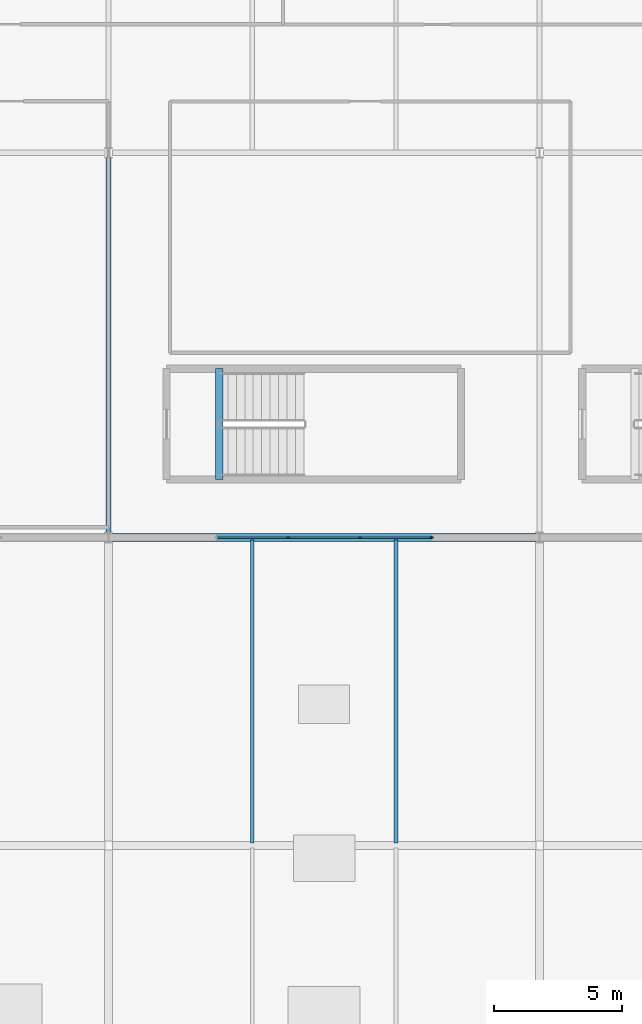
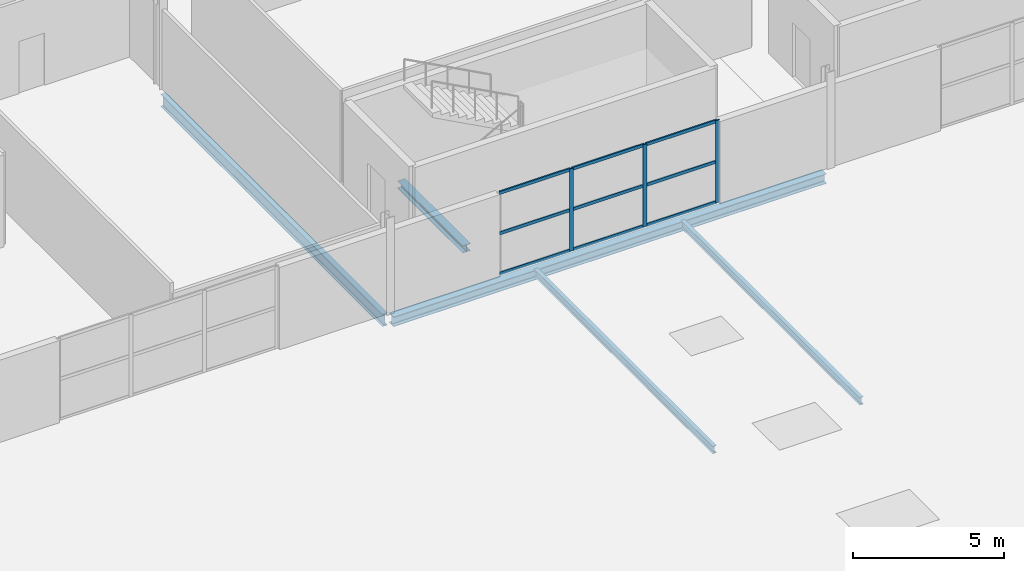
# One storey, part 11 of 36: 12 members, 5 beams, 1 element without a shape of its own.
"""IFC4 building model written with IfcOpenShell, lengths in metres."""

from ifc_helpers import new_model, si_unit, direction, frame, origin, origin_2d, place, context, subcontext, project, spatial, rectangle, i_section, extrude, material, material_profile, profile_set, type_object, element, aggregate, save


model = new_model("IFC4")

# Units and contexts
model_context = context("Model", 3, precision=1e-05, world=origin(), true_north=direction((0.0, 1.0)))
body_context = subcontext(model_context, "Body", "Model", "MODEL_VIEW")
ifc_project = project(units=[si_unit("LENGTHUNIT", "METRE"), si_unit("AREAUNIT", "SQUARE_METRE"), si_unit("VOLUMEUNIT", "CUBIC_METRE"), si_unit("PLANEANGLEUNIT", "RADIAN"), si_unit("MASSUNIT", "GRAM", prefix="KILO")], contexts=[model_context])

# Site, building, storey
site_placement = place(None, origin())
site = spatial("IfcSite", under=ifc_project, at=site_placement, CompositionType="ELEMENT")
building_placement = place(site_placement, origin())
building = spatial("IfcBuilding", under=site, at=building_placement, Name="Kimbaza Rail Terminus", CompositionType="ELEMENT")
storey_placement = place(building_placement, frame((0.0, 0.0, 21.0)))
storey = spatial("IfcBuildingStorey", under=building, at=storey_placement, Name="L04", CompositionType="ELEMENT", Elevation=21.0)

# Curtain wall, members
ifc_material_1 = material(Name="Anodised aluminium framing and solar low-E glazing", Category="aluminium")
curtain_wall_type = type_object("IfcCurtainWallType", Name="ARC-CW-OP2", PredefinedType="USERDEFINED", material=ifc_material_1)
curtain_wall_placement = place(storey_placement, origin())
curtain_wall = element("IfcCurtainWall", 1, at=curtain_wall_placement, inside=storey, type_object=curtain_wall_type, Name="Operations South Curtain Wall L04 Bay 4", ObjectType="STICK CURTAIN WALL", PredefinedType="USERDEFINED")
ifc_material_2 = material(Name="Anodised architectural aluminium", Category="aluminium")
ifc_material_profile_1 = material_profile(ifc_material_2, rectangle(XDim=0.05810546875, YDim=0.14990234375, at=origin_2d()), Name="MULLION 58x150")
ifc_profile_set_1 = profile_set([ifc_material_profile_1], Name="Anodised architectural aluminium")
member_type_1 = type_object("IfcMemberType", Name="ARC-CWM-06", PredefinedType="MULLION", material=ifc_profile_set_1)
member_1_placement = place(storey_placement, frame((112.60009765625, 103.0, 0.0), z_axis=(0.0, 0.0, 1.0), x_axis=(0.0, 1.0, 0.0)))
member_1 = element("IfcMember", 2, at=member_1_placement, type_object=member_type_1, Name="CW-06 mullion 2", PredefinedType="MULLION", context=body_context, shape_type="SweptSolid", body=[
    extrude(rectangle(XDim=0.05810546875, YDim=0.14990234375, at=origin_2d()), origin(), (0.0, 0.0, 1.0), 3.31494140625),
])
member_2_placement = place(storey_placement, frame((115.39990234375, 103.0, 0.0), z_axis=(0.0, 0.0, 1.0), x_axis=(0.0, 1.0, 0.0)))
member_2 = element("IfcMember", 3, at=member_2_placement, type_object=member_type_1, Name="CW-06 mullion 3", PredefinedType="MULLION", context=body_context, shape_type="SweptSolid", body=[
    extrude(rectangle(XDim=0.05810546875, YDim=0.14990234375, at=origin_2d()), origin(), (0.0, 0.0, 1.0), 3.31494140625),
])
member_3_placement = place(storey_placement, frame((118.1708984375, 103.0, 0.0), z_axis=(0.0, 0.0, 1.0), x_axis=(0.0, 1.0, 0.0)))
member_3 = element("IfcMember", 4, at=member_3_placement, type_object=member_type_1, Name="CW-06 mullion 4", PredefinedType="MULLION", context=body_context, shape_type="SweptSolid", body=[
    extrude(rectangle(XDim=0.05810546875, YDim=0.14990234375, at=origin_2d()), origin(), (0.0, 0.0, 1.0), 3.31494140625),
])
ifc_material_3 = material(Name="Anodised architectural aluminium", Category="aluminium")
ifc_material_profile_2 = material_profile(ifc_material_3, rectangle(XDim=0.05810546875, YDim=0.125, at=origin_2d()), Name="TRANSOM 58x125")
ifc_profile_set_2 = profile_set([ifc_material_profile_2], Name="Anodised architectural aluminium")
member_type_2 = type_object("IfcMemberType", Name="ARC-CWT-06", PredefinedType="USERDEFINED", material=ifc_profile_set_2)
member_4_placement = place(storey_placement, frame((109.85791015625, 103.0, 0.029052734375), z_axis=(1.0, 0.0, 0.0), x_axis=(0.0, 1.0, 0.0)))
member_4 = element("IfcMember", 5, at=member_4_placement, type_object=member_type_2, Name="CW-06 transom 1.1", ObjectType="TRANSOM", PredefinedType="USERDEFINED", context=body_context, shape_type="SweptSolid", body=[
    extrude(rectangle(XDim=0.05810546875, YDim=0.125, at=origin_2d()), origin(), (0.0, 0.0, 1.0), 2.713134765625),
])
member_5_placement = place(storey_placement, frame((109.85791015625, 103.0, 1.657470703125), z_axis=(1.0, 0.0, 0.0), x_axis=(0.0, 1.0, 0.0)))
member_5 = element("IfcMember", 6, at=member_5_placement, type_object=member_type_2, Name="CW-06 transom 1.2", ObjectType="TRANSOM", PredefinedType="USERDEFINED", context=body_context, shape_type="SweptSolid", body=[
    extrude(rectangle(XDim=0.05810546875, YDim=0.125, at=origin_2d()), origin(), (0.0, 0.0, 1.0), 2.713134765625),
])
member_6_placement = place(storey_placement, frame((109.85791015625, 103.0, 3.285888671875), z_axis=(1.0, 0.0, 0.0), x_axis=(0.0, 1.0, 0.0)))
member_6 = element("IfcMember", 7, at=member_6_placement, type_object=member_type_2, Name="CW-06 transom 1.3", ObjectType="TRANSOM", PredefinedType="USERDEFINED", context=body_context, shape_type="SweptSolid", body=[
    extrude(rectangle(XDim=0.05810546875, YDim=0.125, at=origin_2d()), origin(), (0.0, 0.0, 1.0), 2.713134765625),
])
member_7_placement = place(storey_placement, frame((112.62890625, 103.0, 0.029052734375), z_axis=(1.0, 0.0, 0.0), x_axis=(0.0, 1.0, 0.0)))
member_7 = element("IfcMember", 8, at=member_7_placement, type_object=member_type_2, Name="CW-06 transom 2.1", ObjectType="TRANSOM", PredefinedType="USERDEFINED", context=body_context, shape_type="SweptSolid", body=[
    extrude(rectangle(XDim=0.05810546875, YDim=0.125, at=origin_2d()), origin(), (0.0, 0.0, 1.0), 2.7421875),
])
member_8_placement = place(storey_placement, frame((112.62890625, 103.0, 1.657470703125), z_axis=(1.0, 0.0, 0.0), x_axis=(0.0, 1.0, 0.0)))
member_8 = element("IfcMember", 9, at=member_8_placement, type_object=member_type_2, Name="CW-06 transom 2.2", ObjectType="TRANSOM", PredefinedType="USERDEFINED", context=body_context, shape_type="SweptSolid", body=[
    extrude(rectangle(XDim=0.05810546875, YDim=0.125, at=origin_2d()), origin(), (0.0, 0.0, 1.0), 2.7421875),
])
member_9_placement = place(storey_placement, frame((112.62890625, 103.0, 3.285888671875), z_axis=(1.0, 0.0, 0.0), x_axis=(0.0, 1.0, 0.0)))
member_9 = element("IfcMember", 10, at=member_9_placement, type_object=member_type_2, Name="CW-06 transom 2.3", ObjectType="TRANSOM", PredefinedType="USERDEFINED", context=body_context, shape_type="SweptSolid", body=[
    extrude(rectangle(XDim=0.05810546875, YDim=0.125, at=origin_2d()), origin(), (0.0, 0.0, 1.0), 2.7421875),
])
member_10_placement = place(storey_placement, frame((115.428955078125, 103.0, 0.029052734375), z_axis=(1.0, 0.0, 0.0), x_axis=(0.0, 1.0, 0.0)))
member_10 = element("IfcMember", 11, at=member_10_placement, type_object=member_type_2, Name="CW-06 transom 3.1", ObjectType="TRANSOM", PredefinedType="USERDEFINED", context=body_context, shape_type="SweptSolid", body=[
    extrude(rectangle(XDim=0.05810546875, YDim=0.125, at=origin_2d()), origin(), (0.0, 0.0, 1.0), 2.713134765625),
])
member_11_placement = place(storey_placement, frame((115.428955078125, 103.0, 1.657470703125), z_axis=(1.0, 0.0, 0.0), x_axis=(0.0, 1.0, 0.0)))
member_11 = element("IfcMember", 12, at=member_11_placement, type_object=member_type_2, Name="CW-06 transom 3.2", ObjectType="TRANSOM", PredefinedType="USERDEFINED", context=body_context, shape_type="SweptSolid", body=[
    extrude(rectangle(XDim=0.05810546875, YDim=0.125, at=origin_2d()), origin(), (0.0, 0.0, 1.0), 2.713134765625),
])
member_12_placement = place(storey_placement, frame((115.428955078125, 103.0, 3.285888671875), z_axis=(1.0, 0.0, 0.0), x_axis=(0.0, 1.0, 0.0)))
member_12 = element("IfcMember", 13, at=member_12_placement, type_object=member_type_2, Name="CW-06 transom 3.3", ObjectType="TRANSOM", PredefinedType="USERDEFINED", context=body_context, shape_type="SweptSolid", body=[
    extrude(rectangle(XDim=0.05810546875, YDim=0.125, at=origin_2d()), origin(), (0.0, 0.0, 1.0), 2.713134765625),
])
aggregate(curtain_wall, [member_1, member_2, member_3, member_4, member_5, member_6, member_7, member_8, member_9, member_10, member_11, member_12])

# Beams
ifc_material_4 = material(Name="Steel S355", Category="steel")
ifc_material_profile_3 = material_profile(ifc_material_4, i_section(OverallWidth=0.300048828125, OverallDepth=0.2900390625, WebThickness=0.008544921875, FlangeThickness=0.013916015625, FilletRadius=0.027099609375, at=origin_2d()), Name="HEA 300")
ifc_profile_set_3 = profile_set([ifc_material_profile_3], Name="Steel S355")
beam_type_1 = type_object("IfcBeamType", Name="STR-BM-HEA300", PredefinedType="SPANDREL", material=ifc_profile_set_3)
beam_1_placement = place(storey_placement, frame((109.919921875, 105.260009765625, -0.344970703125), z_axis=(0.0, 1.0, 0.0), x_axis=(-1.0, 0.0, 0.0)))
element("IfcBeam", 14, at=beam_1_placement, inside=storey, type_object=beam_type_1, Name="Operations Central Exit Stair Landing Trimmer Beam L04", PredefinedType="SPANDREL", context=body_context, shape_type="SweptSolid", body=[
    extrude(i_section(OverallWidth=0.300048828125, OverallDepth=0.2900390625, WebThickness=0.008544921875, FlangeThickness=0.013916015625, FilletRadius=0.027099609375, at=origin_2d()), origin(), (0.0, 0.0, 1.0), 4.320068359375),
])
ifc_material_5 = material(Name="Steel S355", Category="steel")
ifc_material_profile_4 = material_profile(ifc_material_5, i_section(OverallWidth=0.300048828125, OverallDepth=0.389892578125, WebThickness=0.010986328125, FlangeThickness=0.01904296875, FilletRadius=0.027099609375, at=origin_2d()), Name="HEA 400")
ifc_profile_set_4 = profile_set([ifc_material_profile_4], Name="Steel S355")
beam_type_2 = type_object("IfcBeamType", Name="STR-BM-HEA400", PredefinedType="SPANDREL", material=ifc_profile_set_4)
beam_2_placement = place(storey_placement, frame((105.74609375, 103.0, -0.39501953125), z_axis=(1.0, 0.0, 0.0), x_axis=(0.0, 1.0, 0.0)))
element("IfcBeam", 15, at=beam_2_placement, inside=storey, type_object=beam_type_2, Name="Operations Girder L04 X3-Y0", PredefinedType="SPANDREL", context=body_context, shape_type="SweptSolid", body=[
    extrude(i_section(OverallWidth=0.300048828125, OverallDepth=0.389892578125, WebThickness=0.010986328125, FlangeThickness=0.01904296875, FilletRadius=0.027099609375, at=origin_2d()), origin(), (0.0, 0.0, 1.0), 16.5078125),
])
ifc_material_6 = material(Name="Steel S355", Category="steel")
ifc_material_profile_5 = material_profile(ifc_material_6, i_section(OverallWidth=0.14990234375, OverallDepth=0.300048828125, WebThickness=0.007080078125, FlangeThickness=0.0107421875, FilletRadius=0.014892578125, at=origin_2d()), Name="IPE 300")
ifc_profile_set_5 = profile_set([ifc_material_profile_5], Name="Steel S355")
beam_type_3 = type_object("IfcBeamType", Name="STR-BM-IPE300", PredefinedType="JOIST", material=ifc_profile_set_5)
for number, where, z_axis, x_axis, name in (
    (16, (111.199951171875, 91.10009765625, -0.324951171875), (0.0, 1.0, 0.0), (-1.0, 0.0, 0.0), "Beam JST-BRGRF-L04-2-1-91"),
    (17, (116.800048828125, 91.10009765625, -0.324951171875), (0.0, 1.0, 0.0), (-1.0, 0.0, 0.0), "Beam JST-BRGRF-L04-2-2-91"),
):
    element("IfcBeam", number, at=place(storey_placement, frame(where, z_axis=z_axis, x_axis=x_axis)), inside=storey, type_object=beam_type_3, Name=name, PredefinedType="JOIST", context=body_context, shape_type="SweptSolid", body=[
        extrude(i_section(OverallWidth=0.14990234375, OverallDepth=0.300048828125, WebThickness=0.007080078125, FlangeThickness=0.0107421875, FilletRadius=0.014892578125, at=origin_2d()), origin(), (0.0, 0.0, 1.0), 11.7998046875),
    ])
ifc_material_7 = material(Name="Steel S355", Category="steel")
ifc_material_profile_6 = material_profile(ifc_material_7, i_section(OverallWidth=0.199951171875, OverallDepth=0.5, WebThickness=0.01025390625, FlangeThickness=0.01611328125, FilletRadius=0.02099609375, at=origin_2d()), Name="IPE 500")
ifc_profile_set_6 = profile_set([ifc_material_profile_6], Name="Steel S355")
beam_type_4 = type_object("IfcBeamType", Name="STR-BM-IPE500", PredefinedType="BEAM", material=ifc_profile_set_6)
beam_3_placement = place(storey_placement, frame((105.60009765625, 103.175048828125, -0.449951171875), z_axis=(0.0, 1.0, 0.0), x_axis=(-1.0, 0.0, 0.0)))
element("IfcBeam", 18, at=beam_3_placement, inside=storey, type_object=beam_type_4, Name="Operations Cross Girder L04 X3-Y0", PredefinedType="BEAM", context=body_context, shape_type="SweptSolid", body=[
    extrude(i_section(OverallWidth=0.199951171875, OverallDepth=0.5, WebThickness=0.01025390625, FlangeThickness=0.01611328125, FilletRadius=0.02099609375, at=origin_2d()), origin(), (0.0, 0.0, 1.0), 14.64990234375),
])

save(model, "model.ifc")
